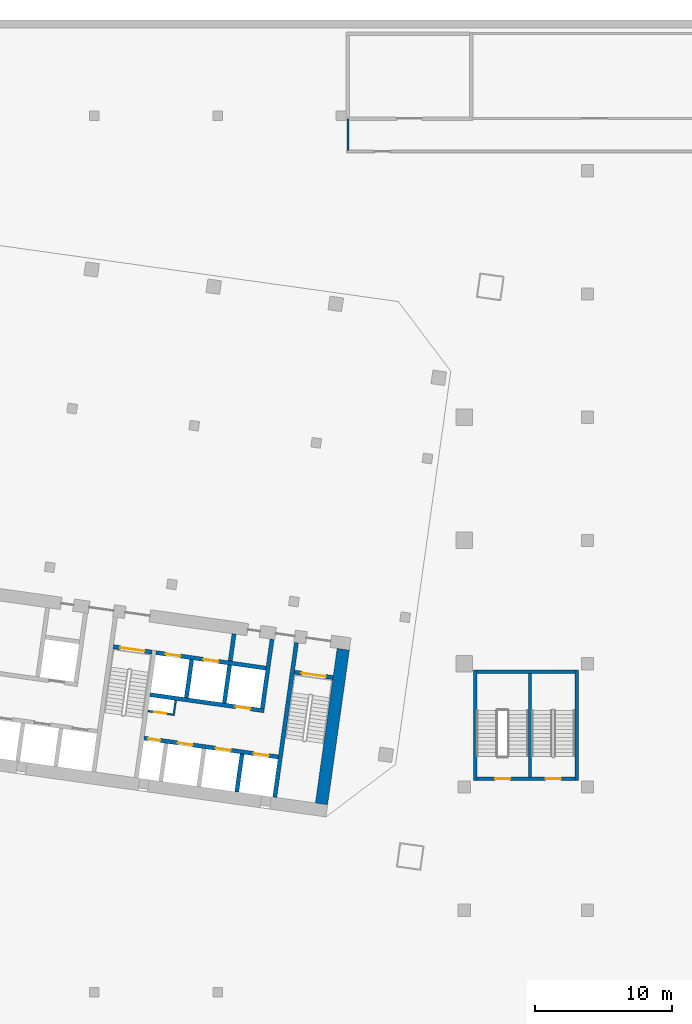
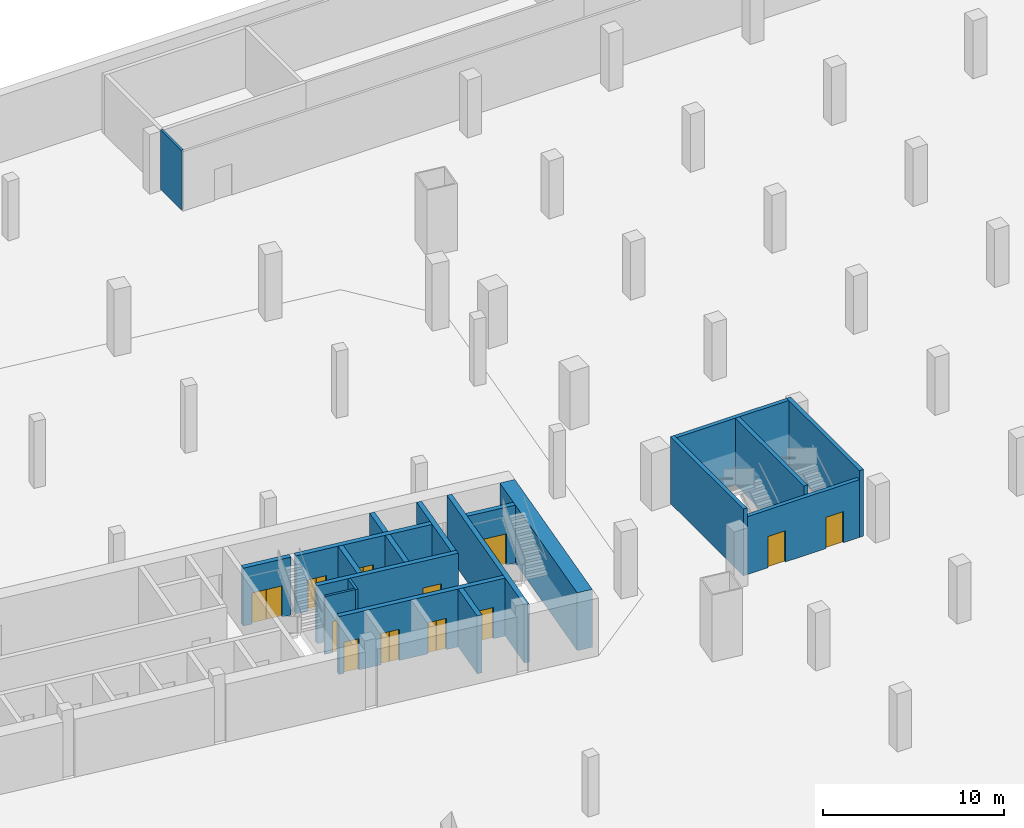
# One storey, part 5 of 17: 20 walls, 12 doors, 12 openings.
"""IFC4 building model written with IfcOpenShell, lengths in metres."""

from ifc_helpers import new_model, si_unit, direction, frame, frame_2d, origin, place, context, subcontext, project, spatial, rectangle, extrude, material, layer, layer_set, type_object, element, fill, save


model = new_model("IFC4")

# Units and contexts
model_context = context("Model", 3, precision=1e-05, world=origin(), true_north=direction((0.0, 1.0)))
body_context = subcontext(model_context, "Body", "Model", "MODEL_VIEW")
ifc_project = project(units=[si_unit("LENGTHUNIT", "METRE"), si_unit("AREAUNIT", "SQUARE_METRE"), si_unit("VOLUMEUNIT", "CUBIC_METRE"), si_unit("PLANEANGLEUNIT", "RADIAN"), si_unit("MASSUNIT", "GRAM", prefix="KILO")], contexts=[model_context])

# Site, building, storey
site_placement = place(None, origin())
site = spatial("IfcSite", under=ifc_project, at=site_placement, CompositionType="ELEMENT")
building_placement = place(site_placement, origin())
building = spatial("IfcBuilding", under=site, at=building_placement, Name="Mirante Cascada Hotel Towers", CompositionType="ELEMENT")
storey_placement = place(building_placement, frame((0.0, 0.0, -4.5)))
storey = spatial("IfcBuildingStorey", under=building, at=storey_placement, Name="B1", CompositionType="ELEMENT", Elevation=-4.5)

# Wall
ifc_material_1 = material(Name="Masonry block", Category="masonry")
ifc_layer_1 = layer(ifc_material_1, 0.15)
ifc_layer_set_1 = layer_set([ifc_layer_1], Name="Basement service corridor wall 150 block EI 60")
wall_type_1 = type_object("IfcWallType", Name="Basement service corridor wall 150 block EI 60", PredefinedType="PARTITIONING", material=ifc_layer_set_1)
wall_1_placement = place(storey_placement, frame((-35.5, 28.475, 0.0), z_axis=(0.0, 0.0, 1.0), x_axis=(0.0, 1.0, 0.0)))
element("IfcWall", 1, at=wall_1_placement, inside=storey, type_object=wall_type_1, Name="Service corridor wall B1", PredefinedType="PARTITIONING", context=body_context, shape_type="SweptSolid", body=[
    extrude(rectangle(XDim=2.295, YDim=0.15, at=frame_2d((1.1475, 0.0))), origin(), (0.0, 0.0, 1.0), 4.0),
])

# Wall, openings, doors
ifc_material_2 = material(Name="Concrete C35/45", Category="concrete")
ifc_layer_2 = layer(ifc_material_2, 0.25)
ifc_layer_set_2 = layer_set([ifc_layer_2], Name="Basement stair wall 250 concrete C35/45 EI 120")
wall_type_2 = type_object("IfcWallType", Name="Basement stair wall 250 concrete C35/45 EI 120", PredefinedType="STANDARD", material=ifc_layer_set_2)
wall_2_placement = place(storey_placement, frame((-26.075, -17.4, 0.0), z_axis=(0.0, 0.0, 1.0), x_axis=(1.0, 0.0, 0.0)))
wall_2 = element("IfcWall", 2, at=wall_2_placement, inside=storey, type_object=wall_type_2, Name="Stair wall B1", PredefinedType="STANDARD", context=body_context, shape_type="SweptSolid", body=[
    extrude(rectangle(XDim=7.15, YDim=0.25, at=frame_2d((3.575, 0.0))), origin(), (0.0, 0.0, 1.0), 3.9),
])
opening_1_placement = place(wall_2_placement, frame((5.025, 0.0, 0.0)))
opening_1 = element("IfcOpeningElement", 3, at=opening_1_placement, cuts=wall_2, Name="Opening DB-1-10", PredefinedType="OPENING", context=body_context, shape_type="SweptSolid", body=[
    extrude(rectangle(XDim=1.1, YDim=2.1, at=frame_2d((0.55, 1.05))), frame((0.0, 0.125, 0.0), z_axis=(0.0, -1.0, 0.0), x_axis=(1.0, 0.0, 0.0)), (0.0, 0.0, 1.0), 0.25),
])
opening_2_placement = place(wall_2_placement, frame((1.325, 0.0, 0.0)))
opening_2 = element("IfcOpeningElement", 4, at=opening_2_placement, cuts=wall_2, Name="Opening DB-1-11", PredefinedType="OPENING", context=body_context, shape_type="SweptSolid", body=[
    extrude(rectangle(XDim=1.1, YDim=2.1, at=frame_2d((0.55, 1.05))), frame((0.0, 0.125, 0.0), z_axis=(0.0, -1.0, 0.0), x_axis=(1.0, 0.0, 0.0)), (0.0, 0.0, 1.0), 0.25),
])
ifc_material_3 = material(Name="Hollow metal fire door leaf")
door_type_1 = type_object("IfcDoorType", Name="Basement fire door 1100x2100 FD60", OperationType="NOTDEFINED", PredefinedType="DOOR", material=ifc_material_3)
door_1_placement = place(opening_1_placement, origin())
door_1 = element("IfcDoor", 5, at=door_1_placement, inside=storey, type_object=door_type_1, Name="Door to exit stair 3 DB-1-10", OperationType="SINGLE_SWING_LEFT", OverallHeight=2.1, OverallWidth=1.1, PredefinedType="DOOR", context=body_context, shape_type="SweptSolid", body=[
    extrude(rectangle(XDim=1.1, YDim=2.1, at=frame_2d((0.55, 1.05))), frame((0.0, 0.025, 0.0), z_axis=(0.0, -1.0, 0.0), x_axis=(1.0, 0.0, 0.0)), (0.0, 0.0, 1.0), 0.05),
])
fill(opening_1, door_1)
door_2_placement = place(opening_2_placement, origin())
door_2 = element("IfcDoor", 6, at=door_2_placement, inside=storey, type_object=door_type_1, Name="Door to exit stair 5 DB-1-11", OperationType="SINGLE_SWING_RIGHT", OverallHeight=2.1, OverallWidth=1.1, PredefinedType="DOOR", context=body_context, shape_type="SweptSolid", body=[
    extrude(rectangle(XDim=1.1, YDim=2.1, at=frame_2d((0.55, 1.05))), frame((0.0, 0.025, 0.0), z_axis=(0.0, -1.0, 0.0), x_axis=(1.0, 0.0, 0.0)), (0.0, 0.0, 1.0), 0.05),
])
fill(opening_2, door_2)

# Walls
wall_3_placement = place(storey_placement, frame((-26.075, -9.6, 0.0), z_axis=(0.0, 0.0, 1.0), x_axis=(1.0, 0.0, 0.0)))
element("IfcWall", 7, at=wall_3_placement, inside=storey, type_object=wall_type_2, Name="Stair wall B1", PredefinedType="STANDARD", context=body_context, shape_type="SweptSolid", body=[
    extrude(rectangle(XDim=7.15, YDim=0.25, at=frame_2d((3.575, 0.0))), origin(), (0.0, 0.0, 1.0), 4.5),
])
for number, where, z_axis, x_axis, name in (
    (8, (-18.8, -17.525, 0.0), (0.0, 0.0, 1.0), (0.0, 1.0, 0.0), "Stair wall B1"),
    (9, (-26.2, -17.525, 0.0), (0.0, 0.0, 1.0), (0.0, 1.0, 0.0), "Stair wall B1"),
):
    element("IfcWall", number, at=place(storey_placement, frame(where, z_axis=z_axis, x_axis=x_axis)), inside=storey, type_object=wall_type_2, Name=name, PredefinedType="STANDARD", context=body_context, shape_type="SweptSolid", body=[
        extrude(rectangle(XDim=8.05, YDim=0.25, at=frame_2d((4.025, 0.0))), origin(), (0.0, 0.0, 1.0), 4.5),
    ])
ifc_material_4 = material(Name="Masonry block", Category="masonry")
ifc_layer_3 = layer(ifc_material_4, 0.15)
ifc_layer_set_3 = layer_set([ifc_layer_3], Name="Core room partition 150 block EI 30")
wall_type_3 = type_object("IfcWallType", Name="Core room partition 150 block EI 30", PredefinedType="PARTITIONING", material=ifc_layer_set_3)
wall_4_placement = place(storey_placement, frame((-48.2295, -12.793, 0.0), z_axis=(0.0, 0.0, 1.0), x_axis=(0.1391935, 0.9902652, 0.0)))
element("IfcWall", 10, at=wall_4_placement, inside=storey, type_object=wall_type_3, Name="Core wall partition T1 B1 2", PredefinedType="PARTITIONING", context=body_context, shape_type="SweptSolid", body=[
    extrude(rectangle(XDim=1.1251, YDim=0.15, at=frame_2d((0.5626, 0.0))), origin(), (0.0, 0.0, 1.0), 3.9),
])

# Wall, opening, door
wall_5_placement = place(storey_placement, frame((-48.2933, -12.7083, 0.0), z_axis=(0.0, 0.0, 1.0), x_axis=(-0.990268, 0.1391734, 0.0)))
wall_5 = element("IfcWall", 11, at=wall_5_placement, inside=storey, type_object=wall_type_3, Name="Core wall partition T1 B1 3", PredefinedType="PARTITIONING", context=body_context, shape_type="SweptSolid", body=[
    extrude(rectangle(XDim=1.8251, YDim=0.15, at=frame_2d((0.9126, 0.0))), origin(), (0.0, 0.0, 1.0), 3.9),
])
opening_3_placement = place(wall_5_placement, frame((0.4625, 0.0, 0.0)))
opening_3 = element("IfcOpeningElement", 12, at=opening_3_placement, cuts=wall_5, Name="Opening D1-B1-C26", PredefinedType="OPENING", context=body_context, shape_type="SweptSolid", body=[
    extrude(rectangle(XDim=0.9, YDim=2.1, at=frame_2d((0.45, 1.05))), frame((0.0, 0.075, 0.0), z_axis=(0.0, -1.0, 0.0), x_axis=(1.0, 0.0, 0.0)), (0.0, 0.0, 1.0), 0.15),
])
ifc_material_5 = material(Name="Hollow metal fire door leaf")
door_type_2 = type_object("IfcDoorType", Name="Fire door 900x2100 FD60", OperationType="NOTDEFINED", PredefinedType="DOOR", material=ifc_material_5)
door_3_placement = place(opening_3_placement, origin())
door_3 = element("IfcDoor", 13, at=door_3_placement, inside=storey, type_object=door_type_2, Name="Riser door T1 B1 26", OperationType="SINGLE_SWING_RIGHT", OverallHeight=2.1, OverallWidth=0.9, PredefinedType="DOOR", context=body_context, shape_type="SweptSolid", body=[
    extrude(rectangle(XDim=0.9, YDim=2.1, at=frame_2d((0.45, 1.05))), frame((0.0, 0.025, 0.0), z_axis=(0.0, -1.0, 0.0), x_axis=(1.0, 0.0, 0.0)), (0.0, 0.0, 1.0), 0.05),
])
fill(opening_3, door_3)

# Walls
ifc_material_6 = material(Name="Masonry block", Category="masonry")
ifc_layer_4 = layer(ifc_material_6, 0.3)
ifc_layer_set_4 = layer_set([ifc_layer_4], Name="Core wall 300 block EI 120")
wall_type_4 = type_object("IfcWallType", Name="Core wall 300 block EI 120", PredefinedType="PARTITIONING", material=ifc_layer_set_4)
wall_6_placement = place(storey_placement, frame((-44.0843, -8.8061, 0.0), z_axis=(0.0, 0.0, 1.0), x_axis=(0.1391951, 0.990265, 0.0)))
element("IfcWall", 14, at=wall_6_placement, inside=storey, type_object=wall_type_4, Name="Core wall partition T1 B1 1", PredefinedType="PARTITIONING", context=body_context, shape_type="SweptSolid", body=[
    extrude(rectangle(XDim=2.0001, YDim=0.3, at=frame_2d((1.0001, 0.0))), origin(), (0.0, 0.0, 1.0), 3.9),
])
ifc_material_7 = material(Name="Concrete C50/60", Category="concrete")
ifc_layer_5 = layer(ifc_material_7, 0.3)
ifc_layer_set_5 = layer_set([ifc_layer_5], Name="RC core wall 300 C50/60")
wall_type_5 = type_object("IfcWallType", Name="RC core wall 300 C50/60", PredefinedType="SHEAR", material=ifc_layer_set_5)
wall_7_placement = place(storey_placement, frame((-40.8373, -18.7548, 0.0), z_axis=(0.0, 0.0, 1.0), x_axis=(0.1391749, 0.9902678, 0.0)))
element("IfcWall", 15, at=wall_7_placement, inside=storey, type_object=wall_type_5, Name="Core wall T1:B1:5", PredefinedType="SHEAR", context=body_context, shape_type="SweptSolid", body=[
    extrude(rectangle(XDim=11.4, YDim=0.3, at=frame_2d((5.7, 0.0))), origin(), (0.0, 0.0, 1.0), 3.9),
])

# Wall, opening, door
wall_8_placement = place(storey_placement, frame((-36.5791, -10.0123, 0.0), z_axis=(0.0, 0.0, 1.0), x_axis=(-0.9902704, 0.1391564, 0.0)))
wall_8 = element("IfcWall", 16, at=wall_8_placement, inside=storey, type_object=wall_type_5, Name="Core wall T1:B1:9", PredefinedType="SHEAR", context=body_context, shape_type="SweptSolid", body=[
    extrude(rectangle(XDim=2.85, YDim=0.3, at=frame_2d((1.425, 0.0))), origin(), (0.0, 0.0, 1.0), 3.9),
])
opening_4_placement = place(wall_8_placement, frame((0.525, 0.0, 0.0)))
opening_4 = element("IfcOpeningElement", 17, at=opening_4_placement, cuts=wall_8, Name="Opening D1-B1-C16", PredefinedType="OPENING", context=body_context, shape_type="SweptSolid", body=[
    extrude(rectangle(XDim=1.8, YDim=2.1, at=frame_2d((0.9, 1.05))), frame((0.0, 0.15, 0.0), z_axis=(0.0, -1.0, 0.0), x_axis=(1.0, 0.0, 0.0)), (0.0, 0.0, 1.0), 0.3),
])
ifc_material_8 = material(Name="Hollow metal fire door leaf")
door_type_3 = type_object("IfcDoorType", Name="Double fire door 1800x2100 FD60", OperationType="DOUBLE_DOOR_SINGLE_SWING", PredefinedType="DOOR", material=ifc_material_8)
door_4_placement = place(opening_4_placement, origin())
door_4 = element("IfcDoor", 18, at=door_4_placement, inside=storey, type_object=door_type_3, Name="Stair door T1 B1 16", OperationType="DOUBLE_DOOR_SINGLE_SWING", OverallHeight=2.1, OverallWidth=1.8, PredefinedType="DOOR", context=body_context, shape_type="SweptSolid", body=[
    extrude(rectangle(XDim=0.895, YDim=2.1, at=frame_2d((0.4475, 1.05))), frame((0.0, 0.025, 0.0), z_axis=(0.0, -1.0, 0.0), x_axis=(1.0, 0.0, 0.0)), (0.0, 0.0, 1.0), 0.05),
    extrude(rectangle(XDim=0.895, YDim=2.1, at=frame_2d((1.3525, 1.05))), frame((0.0, 0.025, 0.0), z_axis=(0.0, -1.0, 0.0), x_axis=(1.0, 0.0, 0.0)), (0.0, 0.0, 1.0), 0.05),
])
fill(opening_4, door_4)

wall_9_placement = place(storey_placement, frame((-49.7992, -8.1544, 0.0), z_axis=(0.0, 0.0, 1.0), x_axis=(-0.9902656, 0.1391909, 0.0)))
wall_9 = element("IfcWall", 19, at=wall_9_placement, inside=storey, type_object=wall_type_5, Name="Core wall T1:B1:10", PredefinedType="SHEAR", context=body_context, shape_type="SweptSolid", body=[
    extrude(rectangle(XDim=2.85, YDim=0.3, at=frame_2d((1.425, 0.0))), origin(), (0.0, 0.0, 1.0), 3.9),
])
opening_5_placement = place(wall_9_placement, frame((0.525, 0.0, 0.0)))
opening_5 = element("IfcOpeningElement", 20, at=opening_5_placement, cuts=wall_9, Name="Opening D1-B1-C18", PredefinedType="OPENING", context=body_context, shape_type="SweptSolid", body=[
    extrude(rectangle(XDim=1.8, YDim=2.1, at=frame_2d((0.9, 1.05))), frame((0.0, 0.15, 0.0), z_axis=(0.0, -1.0, 0.0), x_axis=(1.0, 0.0, 0.0)), (0.0, 0.0, 1.0), 0.3),
])
door_5_placement = place(opening_5_placement, origin())
door_5 = element("IfcDoor", 21, at=door_5_placement, inside=storey, type_object=door_type_3, Name="Stair door T1 B1 18", OperationType="DOUBLE_DOOR_SINGLE_SWING", OverallHeight=2.1, OverallWidth=1.8, PredefinedType="DOOR", context=body_context, shape_type="SweptSolid", body=[
    extrude(rectangle(XDim=0.895, YDim=2.1, at=frame_2d((0.4475, 1.05))), frame((0.0, 0.025, 0.0), z_axis=(0.0, -1.0, 0.0), x_axis=(1.0, 0.0, 0.0)), (0.0, 0.0, 1.0), 0.05),
    extrude(rectangle(XDim=0.895, YDim=2.1, at=frame_2d((1.3525, 1.05))), frame((0.0, 0.025, 0.0), z_axis=(0.0, -1.0, 0.0), x_axis=(1.0, 0.0, 0.0)), (0.0, 0.0, 1.0), 0.05),
])
fill(opening_5, door_5)

# Wall, openings, doors
wall_10_placement = place(storey_placement, frame((-40.5753, -15.8126, 0.0), z_axis=(0.0, 0.0, 1.0), x_axis=(-0.9902682, 0.1391725, 0.0)))
wall_10 = element("IfcWall", 22, at=wall_10_placement, inside=storey, type_object=wall_type_5, Name="Core wall T1:B1:12", PredefinedType="SHEAR", context=body_context, shape_type="SweptSolid", body=[
    extrude(rectangle(XDim=9.8999, YDim=0.3, at=frame_2d((4.95, 0.0))), origin(), (0.0, 0.0, 1.0), 3.9),
])
opening_6_placement = place(wall_10_placement, frame((0.7, 0.0, 0.0)))
opening_6 = element("IfcOpeningElement", 23, at=opening_6_placement, cuts=wall_10, Name="Opening LD", PredefinedType="OPENING", context=body_context, shape_type="SweptSolid", body=[
    extrude(rectangle(XDim=1.1, YDim=2.1, at=frame_2d((0.55, 1.05))), frame((0.0, 0.15, 0.0), z_axis=(0.0, -1.0, 0.0), x_axis=(1.0, 0.0, 0.0)), (0.0, 0.0, 1.0), 0.3),
])
opening_7_placement = place(wall_10_placement, frame((3.5, 0.0, 0.0)))
opening_7 = element("IfcOpeningElement", 24, at=opening_7_placement, cuts=wall_10, Name="Opening LD", PredefinedType="OPENING", context=body_context, shape_type="SweptSolid", body=[
    extrude(rectangle(XDim=1.1, YDim=2.1, at=frame_2d((0.55, 1.05))), frame((0.0, 0.15, 0.0), z_axis=(0.0, -1.0, 0.0), x_axis=(1.0, 0.0, 0.0)), (0.0, 0.0, 1.0), 0.3),
])
opening_8_placement = place(wall_10_placement, frame((6.3, 0.0, 0.0)))
opening_8 = element("IfcOpeningElement", 25, at=opening_8_placement, cuts=wall_10, Name="Opening LD", PredefinedType="OPENING", context=body_context, shape_type="SweptSolid", body=[
    extrude(rectangle(XDim=1.1, YDim=2.1, at=frame_2d((0.55, 1.05))), frame((0.0, 0.15, 0.0), z_axis=(0.0, -1.0, 0.0), x_axis=(1.0, 0.0, 0.0)), (0.0, 0.0, 1.0), 0.3),
])
opening_9_placement = place(wall_10_placement, frame((8.7, 0.0, 0.0)))
opening_9 = element("IfcOpeningElement", 26, at=opening_9_placement, cuts=wall_10, Name="Opening D1-B1-C25", PredefinedType="OPENING", context=body_context, shape_type="SweptSolid", body=[
    extrude(rectangle(XDim=0.9, YDim=2.1, at=frame_2d((0.45, 1.05))), frame((0.0, 0.15, 0.0), z_axis=(0.0, -1.0, 0.0), x_axis=(1.0, 0.0, 0.0)), (0.0, 0.0, 1.0), 0.3),
])
door_6_placement = place(opening_9_placement, origin())
door_6 = element("IfcDoor", 27, at=door_6_placement, inside=storey, type_object=door_type_2, Name="Riser door T1 B1 25", OperationType="SINGLE_SWING_LEFT", OverallHeight=2.1, OverallWidth=0.9, PredefinedType="DOOR", context=body_context, shape_type="SweptSolid", body=[
    extrude(rectangle(XDim=0.9, YDim=2.1, at=frame_2d((0.45, 1.05))), frame((0.0, 0.025, 0.0), z_axis=(0.0, -1.0, 0.0), x_axis=(1.0, 0.0, 0.0)), (0.0, 0.0, 1.0), 0.05),
])
fill(opening_9, door_6)
ifc_material_9 = material(Name="Stainless steel", Category="steel")
door_type_4 = type_object("IfcDoorType", Name="Lift landing door 1100x2100 EI 120", OperationType="DOUBLE_DOOR_SLIDING", PredefinedType="DOOR", material=ifc_material_9)
door_7_placement = place(opening_6_placement, origin())
door_7 = element("IfcDoor", 28, at=door_7_placement, inside=storey, type_object=door_type_4, Name="Lift landing door HR1-1 B1", OperationType="DOUBLE_DOOR_SLIDING", OverallHeight=2.1, OverallWidth=1.1, PredefinedType="DOOR", context=body_context, shape_type="SweptSolid", body=[
    extrude(rectangle(XDim=0.545, YDim=2.1, at=frame_2d((0.2725, 1.05))), frame((0.0, 0.025, 0.0), z_axis=(0.0, -1.0, 0.0), x_axis=(1.0, 0.0, 0.0)), (0.0, 0.0, 1.0), 0.05),
    extrude(rectangle(XDim=0.545, YDim=2.1, at=frame_2d((0.8275, 1.05))), frame((0.0, 0.025, 0.0), z_axis=(0.0, -1.0, 0.0), x_axis=(1.0, 0.0, 0.0)), (0.0, 0.0, 1.0), 0.05),
])
fill(opening_6, door_7)
door_8_placement = place(opening_7_placement, origin())
door_8 = element("IfcDoor", 29, at=door_8_placement, inside=storey, type_object=door_type_4, Name="Lift landing door HR1-2 B1", OperationType="DOUBLE_DOOR_SLIDING", OverallHeight=2.1, OverallWidth=1.1, PredefinedType="DOOR", context=body_context, shape_type="SweptSolid", body=[
    extrude(rectangle(XDim=0.545, YDim=2.1, at=frame_2d((0.2725, 1.05))), frame((0.0, 0.025, 0.0), z_axis=(0.0, -1.0, 0.0), x_axis=(1.0, 0.0, 0.0)), (0.0, 0.0, 1.0), 0.05),
    extrude(rectangle(XDim=0.545, YDim=2.1, at=frame_2d((0.8275, 1.05))), frame((0.0, 0.025, 0.0), z_axis=(0.0, -1.0, 0.0), x_axis=(1.0, 0.0, 0.0)), (0.0, 0.0, 1.0), 0.05),
])
fill(opening_7, door_8)
door_9_placement = place(opening_8_placement, origin())
door_9 = element("IfcDoor", 30, at=door_9_placement, inside=storey, type_object=door_type_4, Name="Lift landing door HR1-3 B1", OperationType="DOUBLE_DOOR_SLIDING", OverallHeight=2.1, OverallWidth=1.1, PredefinedType="DOOR", context=body_context, shape_type="SweptSolid", body=[
    extrude(rectangle(XDim=0.545, YDim=2.1, at=frame_2d((0.2725, 1.05))), frame((0.0, 0.025, 0.0), z_axis=(0.0, -1.0, 0.0), x_axis=(1.0, 0.0, 0.0)), (0.0, 0.0, 1.0), 0.05),
    extrude(rectangle(XDim=0.545, YDim=2.1, at=frame_2d((0.8275, 1.05))), frame((0.0, 0.025, 0.0), z_axis=(0.0, -1.0, 0.0), x_axis=(1.0, 0.0, 0.0)), (0.0, 0.0, 1.0), 0.05),
])
fill(opening_8, door_9)

# Wall, opening, door
wall_11_placement = place(storey_placement, frame((-41.6153, -12.435, 0.0), z_axis=(0.0, 0.0, 1.0), x_axis=(-0.9902691, 0.139166, 0.0)))
wall_11 = element("IfcWall", 31, at=wall_11_placement, inside=storey, type_object=wall_type_5, Name="Core wall T1:B1:13", PredefinedType="SHEAR", context=body_context, shape_type="SweptSolid", body=[
    extrude(rectangle(XDim=8.4, YDim=0.3, at=frame_2d((4.2, 0.0))), origin(), (0.0, 0.0, 1.0), 3.9),
])
opening_10_placement = place(wall_11_placement, frame((1.0, 0.0, 0.0)))
opening_10 = element("IfcOpeningElement", 32, at=opening_10_placement, cuts=wall_11, Name="Opening LD", PredefinedType="OPENING", context=body_context, shape_type="SweptSolid", body=[
    extrude(rectangle(XDim=1.1, YDim=2.1, at=frame_2d((0.55, 1.05))), frame((0.0, 0.15, 0.0), z_axis=(0.0, -1.0, 0.0), x_axis=(1.0, 0.0, 0.0)), (0.0, 0.0, 1.0), 0.3),
])
door_10_placement = place(opening_10_placement, origin())
door_10 = element("IfcDoor", 33, at=door_10_placement, inside=storey, type_object=door_type_4, Name="Lift landing door HR1-4 B1", OperationType="DOUBLE_DOOR_SLIDING", OverallHeight=2.1, OverallWidth=1.1, PredefinedType="DOOR", context=body_context, shape_type="SweptSolid", body=[
    extrude(rectangle(XDim=0.545, YDim=2.1, at=frame_2d((0.2725, 1.05))), frame((0.0, 0.025, 0.0), z_axis=(0.0, -1.0, 0.0), x_axis=(1.0, 0.0, 0.0)), (0.0, 0.0, 1.0), 0.05),
    extrude(rectangle(XDim=0.545, YDim=2.1, at=frame_2d((0.8275, 1.05))), frame((0.0, 0.025, 0.0), z_axis=(0.0, -1.0, 0.0), x_axis=(1.0, 0.0, 0.0)), (0.0, 0.0, 1.0), 0.05),
])
fill(opening_10, door_10)

# Wall, openings, doors
wall_12_placement = place(storey_placement, frame((-41.481, -9.3234, 0.0), z_axis=(0.0, 0.0, 1.0), x_axis=(-0.9902679, 0.1391741, 0.0)))
wall_12 = element("IfcWall", 34, at=wall_12_placement, inside=storey, type_object=wall_type_5, Name="Core wall T1:B1:14", PredefinedType="SHEAR", context=body_context, shape_type="SweptSolid", body=[
    extrude(rectangle(XDim=8.0999, YDim=0.3, at=frame_2d((4.05, 0.0))), origin(), (0.0, 0.0, 1.0), 3.9),
])
opening_11_placement = place(wall_12_placement, frame((3.5, 0.0, 0.0)))
opening_11 = element("IfcOpeningElement", 35, at=opening_11_placement, cuts=wall_12, Name="Opening LD", PredefinedType="OPENING", context=body_context, shape_type="SweptSolid", body=[
    extrude(rectangle(XDim=1.1, YDim=2.1, at=frame_2d((0.55, 1.05))), frame((0.0, 0.15, 0.0), z_axis=(0.0, -1.0, 0.0), x_axis=(1.0, 0.0, 0.0)), (0.0, 0.0, 1.0), 0.3),
])
opening_12_placement = place(wall_12_placement, frame((6.3, 0.0, 0.0)))
opening_12 = element("IfcOpeningElement", 36, at=opening_12_placement, cuts=wall_12, Name="Opening LD", PredefinedType="OPENING", context=body_context, shape_type="SweptSolid", body=[
    extrude(rectangle(XDim=1.1, YDim=2.1, at=frame_2d((0.55, 1.05))), frame((0.0, 0.15, 0.0), z_axis=(0.0, -1.0, 0.0), x_axis=(1.0, 0.0, 0.0)), (0.0, 0.0, 1.0), 0.3),
])
door_11_placement = place(opening_11_placement, origin())
door_11 = element("IfcDoor", 37, at=door_11_placement, inside=storey, type_object=door_type_4, Name="Lift landing door FF1 B1", OperationType="DOUBLE_DOOR_SLIDING", OverallHeight=2.1, OverallWidth=1.1, PredefinedType="DOOR", context=body_context, shape_type="SweptSolid", body=[
    extrude(rectangle(XDim=0.545, YDim=2.1, at=frame_2d((0.2725, 1.05))), frame((0.0, 0.025, 0.0), z_axis=(0.0, -1.0, 0.0), x_axis=(1.0, 0.0, 0.0)), (0.0, 0.0, 1.0), 0.05),
    extrude(rectangle(XDim=0.545, YDim=2.1, at=frame_2d((0.8275, 1.05))), frame((0.0, 0.025, 0.0), z_axis=(0.0, -1.0, 0.0), x_axis=(1.0, 0.0, 0.0)), (0.0, 0.0, 1.0), 0.05),
])
fill(opening_11, door_11)
door_12_placement = place(opening_12_placement, origin())
door_12 = element("IfcDoor", 38, at=door_12_placement, inside=storey, type_object=door_type_4, Name="Lift landing door FF2 B1", OperationType="DOUBLE_DOOR_SLIDING", OverallHeight=2.1, OverallWidth=1.1, PredefinedType="DOOR", context=body_context, shape_type="SweptSolid", body=[
    extrude(rectangle(XDim=0.545, YDim=2.1, at=frame_2d((0.2725, 1.05))), frame((0.0, 0.025, 0.0), z_axis=(0.0, -1.0, 0.0), x_axis=(1.0, 0.0, 0.0)), (0.0, 0.0, 1.0), 0.05),
    extrude(rectangle(XDim=0.545, YDim=2.1, at=frame_2d((0.8275, 1.05))), frame((0.0, 0.025, 0.0), z_axis=(0.0, -1.0, 0.0), x_axis=(1.0, 0.0, 0.0)), (0.0, 0.0, 1.0), 0.05),
])
fill(opening_12, door_12)

# Walls
wall_13_placement = place(storey_placement, frame((-43.61, -18.3651, 0.0), z_axis=(0.0, 0.0, 1.0), x_axis=(0.1391459, 0.9902719, 0.0)))
element("IfcWall", 39, at=wall_13_placement, inside=storey, type_object=wall_type_5, Name="Core wall T1:B1:15", PredefinedType="SHEAR", context=body_context, shape_type="SweptSolid", body=[
    extrude(rectangle(XDim=2.7999, YDim=0.3, at=frame_2d((1.4, 0.0))), origin(), (0.0, 0.0, 1.0), 3.9),
])
for number, where, z_axis, x_axis, name in (
    (40, (-44.5157, -11.8759, 0.0), (0.0, 0.0, 1.0), (0.139181, 0.990267, 0.0), "Core wall T1:B1:18"),
    (41, (-47.2885, -11.4862, 0.0), (0.0, 0.0, 1.0), (0.139181, 0.990267, 0.0), "Core wall T1:B1:19"),
):
    element("IfcWall", number, at=place(storey_placement, frame(where, z_axis=z_axis, x_axis=x_axis)), inside=storey, type_object=wall_type_5, Name=name, PredefinedType="SHEAR", context=body_context, shape_type="SweptSolid", body=[
        extrude(rectangle(XDim=2.8, YDim=0.3, at=frame_2d((1.4, 0.0))), origin(), (0.0, 0.0, 1.0), 3.9),
    ])
wall_14_placement = place(storey_placement, frame((-41.743, -12.2656, 0.0), z_axis=(0.0, 0.0, 1.0), x_axis=(0.1391755, 0.9902677, 0.0)))
element("IfcWall", 42, at=wall_14_placement, inside=storey, type_object=wall_type_5, Name="Core wall T1:B1:20", PredefinedType="SHEAR", context=body_context, shape_type="SweptSolid", body=[
    extrude(rectangle(XDim=5.1, YDim=0.3, at=frame_2d((2.55, 0.0))), origin(), (0.0, 0.0, 1.0), 3.9),
])
ifc_material_10 = material(Name="Concrete C50/60", Category="concrete")
ifc_layer_6 = layer(ifc_material_10, 0.9)
ifc_layer_set_6 = layer_set([ifc_layer_6], Name="RC core wall 900 C50/60")
wall_type_6 = type_object("IfcWallType", Name="RC core wall 900 C50/60", PredefinedType="SHEAR", material=ifc_layer_set_6)
wall_15_placement = place(storey_placement, frame((-37.4209, -19.2349, 0.0), z_axis=(0.0, 0.0, 1.0), x_axis=(0.1391761, 0.9902677, 0.0)))
element("IfcWall", 43, at=wall_15_placement, inside=storey, type_object=wall_type_6, Name="Core wall T1:B1:3", PredefinedType="SHEAR", context=body_context, shape_type="SweptSolid", body=[
    extrude(rectangle(XDim=11.3999, YDim=0.9, at=frame_2d((5.7, 0.0))), origin(), (0.0, 0.0, 1.0), 3.9),
])
ifc_material_11 = material(Name="Concrete C35/45", Category="concrete")
ifc_layer_7 = layer(ifc_material_11, 0.25)
ifc_layer_set_7 = layer_set([ifc_layer_7], Name="Stair wall 250 concrete C35/45 EI 120")
wall_type_7 = type_object("IfcWallType", Name="Stair wall 250 concrete C35/45 EI 120", PredefinedType="STANDARD", material=ifc_layer_set_7)
wall_16_placement = place(storey_placement, frame((-22.2, -17.275, 0.0), z_axis=(0.0, 0.0, 1.0), x_axis=(0.0, 1.0, 0.0)))
element("IfcWall", 44, at=wall_16_placement, inside=storey, type_object=wall_type_7, Name="Stair wall P B1", PredefinedType="STANDARD", context=body_context, shape_type="SweptSolid", body=[
    extrude(rectangle(XDim=7.55, YDim=0.25, at=frame_2d((3.775, 0.0))), origin(), (0.0, 0.0, 1.0), 4.5),
])

save(model, "model.ifc")
